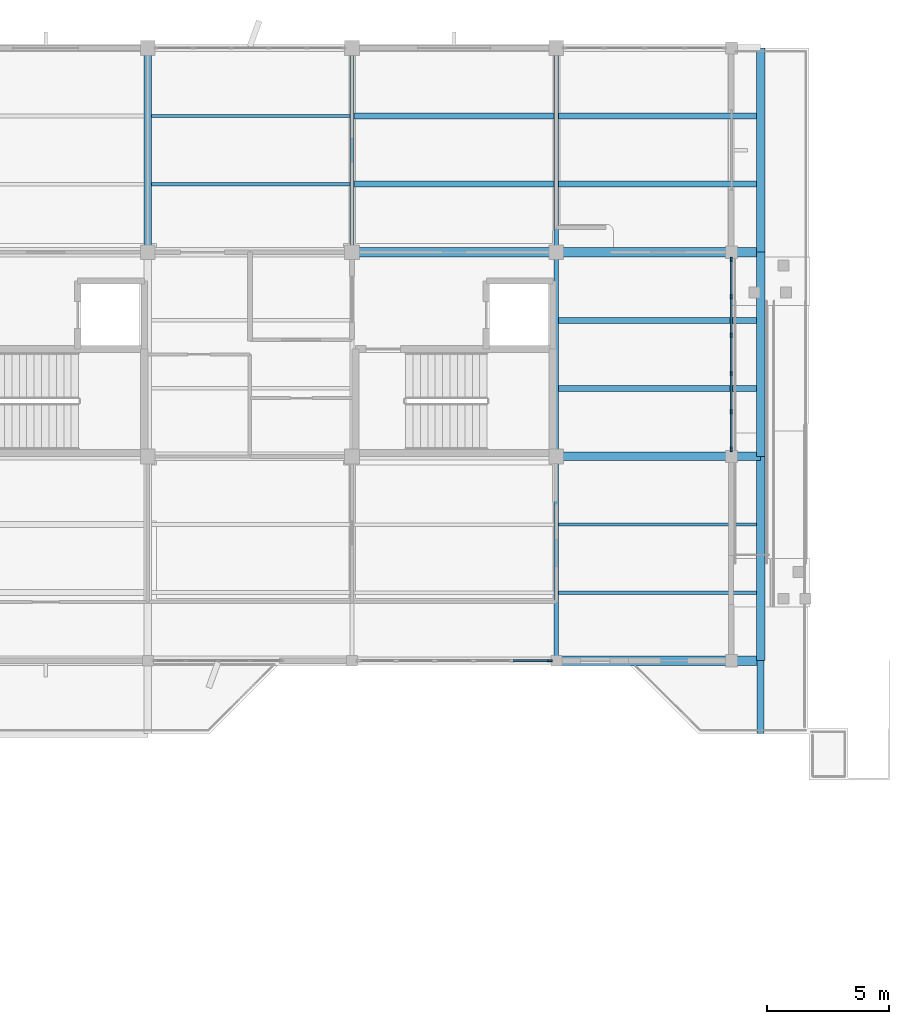
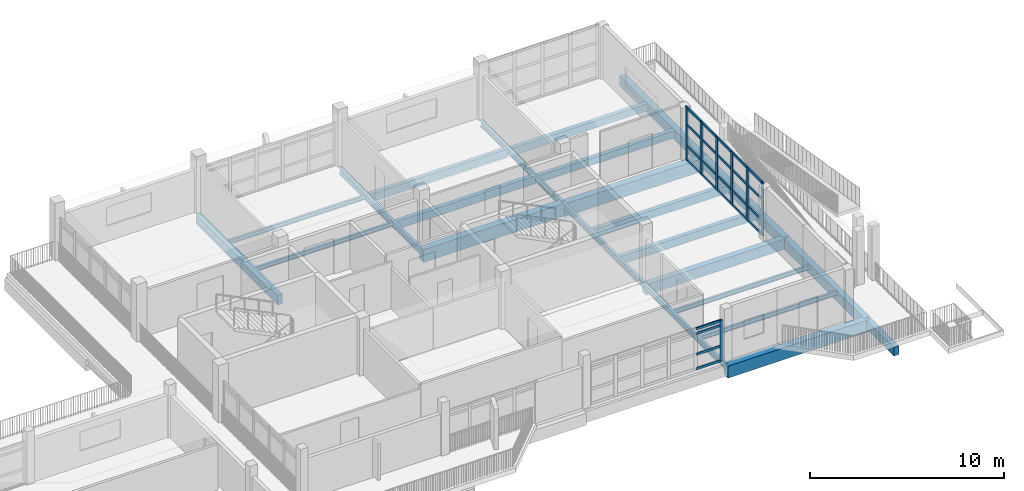
# One storey, part 12 of 33: 31 members, 23 beams, 2 elements without a shape of their own.
"""IFC4 building model written with IfcOpenShell, lengths in metres."""

import ifcopenshell
import ifcopenshell.guid

model = None  # the IFC model being written
_history = None  # IfcOwnerHistory: only IFC2X3 demands one
_inside = {}  # id of a spatial element -> (the spatial element, [elements in it])
_under = {}  # id of a project, library or spatial element -> (it, [spatial elements below it])
_declared = {}  # id of a project -> (the project, [libraries it declares])
_typed = {}  # id of a type object -> (the type object, [elements of that type])
_made_of = {}  # id of a material, layer set ... -> (it, [elements and type objects made of it])


def new_model(schema):
    """Start an empty IFC model of exactly this schema.

    Asked for "IFC4X3", IfcOpenShell would pick the latest addendum, in which some entities
    have other attributes; the version numbers below select the first issue.
    IFC2X3 requires an IfcOwnerHistory on every rooted entity: one is made here for all.
    """
    global model, _history
    if schema == "IFC4X3":
        model = ifcopenshell.file(schema_version=(4, 3, 0, 0))
    else:
        model = ifcopenshell.file(schema=schema)
    _inside.clear()
    _under.clear()
    _declared.clear()
    _typed.clear()
    _made_of.clear()
    _history = None
    if model.schema == "IFC2X3":
        org = make("IfcOrganization", Name="unknown")
        user = make(
            "IfcPersonAndOrganization",
            ThePerson=make("IfcPerson", FamilyName="unknown"),
            TheOrganization=org,
        )
        app = make(
            "IfcApplication",
            ApplicationDeveloper=org,
            Version="unknown",
            ApplicationFullName="unknown",
            ApplicationIdentifier="unknown",
        )
        _history = make(
            "IfcOwnerHistory",
            OwningUser=user,
            OwningApplication=app,
            ChangeAction="ADDED",
            CreationDate=0,
        )
    return model


def make(cls, **values):
    """One entity of the class cls with the attributes given. An attribute that is None is left unset."""
    return model.create_entity(
        cls, **{name: value for name, value in values.items() if value is not None}
    )


def rooted(cls, **values):
    """An entity with a GlobalId (a new one), such as an element, a storey or a relation."""
    return make(cls, GlobalId=ifcopenshell.guid.new(), OwnerHistory=_history, **values)


def si_unit(unit_type, name, prefix=None):
    """IfcSIUnit, for example si_unit("LENGTHUNIT", "METRE", prefix="MILLI")."""
    return make("IfcSIUnit", UnitType=unit_type, Prefix=prefix, Name=name)


def assignment(units):
    """IfcUnitAssignment: the units of a project."""
    return None if units is None else make("IfcUnitAssignment", Units=units)


def point(xyz):
    """IfcCartesianPoint."""
    return None if xyz is None else make("IfcCartesianPoint", Coordinates=xyz)


def direction(xyz):
    """IfcDirection."""
    return None if xyz is None else make("IfcDirection", DirectionRatios=xyz)


def frame(location, z_axis=None, x_axis=None):
    """IfcAxis2Placement3D, a coordinate frame: its origin and axes. An axis left out is left unset."""
    return make(
        "IfcAxis2Placement3D",
        Location=point(location),
        Axis=direction(z_axis),
        RefDirection=direction(x_axis),
    )


def frame_2d(location, x_axis=None):
    """IfcAxis2Placement2D, a coordinate frame in the plane: its origin and x axis."""
    return make(
        "IfcAxis2Placement2D", Location=point(location), RefDirection=direction(x_axis)
    )


def origin():
    """The frame at (0, 0, 0) with its axes left unset."""
    return frame((0.0, 0.0, 0.0))


def origin_2d():
    """The frame at (0, 0) in the plane with its x axis left unset."""
    return frame_2d((0.0, 0.0))


def place(relative_to, where):
    """IfcLocalPlacement: puts the frame where relative to a parent placement (None: the world)."""
    return make(
        "IfcLocalPlacement", PlacementRelTo=relative_to, RelativePlacement=where
    )


def context(
    kind, dimensions, precision=None, world=None, true_north=None, identifier=None
):
    """IfcGeometricRepresentationContext, for example the 3D "Model" context."""
    return make(
        "IfcGeometricRepresentationContext",
        ContextIdentifier=identifier,
        ContextType=kind,
        CoordinateSpaceDimension=dimensions,
        Precision=precision,
        WorldCoordinateSystem=world,
        TrueNorth=true_north,
    )


def subcontext(parent, identifier, kind, view, scale=None):
    """IfcGeometricRepresentationSubContext, for example "Body" below "Model"."""
    return make(
        "IfcGeometricRepresentationSubContext",
        ContextIdentifier=identifier,
        ContextType=kind,
        ParentContext=parent,
        TargetScale=scale,
        TargetView=view,
    )


def project(units=None, contexts=None):
    """IfcProject with its units and contexts."""
    return rooted(
        "IfcProject",
        Name="project",
        RepresentationContexts=contexts,
        UnitsInContext=assignment(units),
    )


def spatial(cls, under=None, at=None, **own):
    """A site, building, storey or space (cls), placed at a placement, below another one or the project."""
    s = rooted(cls, ObjectPlacement=at, **own)
    if under is not None:
        _under.setdefault(under.id(), (under, []))[1].append(s)
    return s


def profile(cls, at=None, kind="AREA", **sizes):
    """A parametric profile (cls). Its sizes go by their IFC names, for example OverallWidth=200.0."""
    return make(cls, ProfileType=kind, Position=at, **sizes)


def rectangle(**sizes):
    """IfcRectangleProfileDef."""
    return profile("IfcRectangleProfileDef", **sizes)


def i_section(**sizes):
    """IfcIShapeProfileDef."""
    return profile("IfcIShapeProfileDef", **sizes)


def extrude(swept, where, along, depth):
    """IfcExtrudedAreaSolid: the profile swept, set in the frame where, extruded along a direction by depth."""
    return make(
        "IfcExtrudedAreaSolid",
        SweptArea=swept,
        Position=where,
        ExtrudedDirection=direction(along),
        Depth=depth,
    )


def shape(context_of_items, identifier, shape_type, items):
    """IfcShapeRepresentation: the items that make up one representation, for example the "Body"."""
    return make(
        "IfcShapeRepresentation",
        ContextOfItems=context_of_items,
        RepresentationIdentifier=identifier,
        RepresentationType=shape_type,
        Items=items,
    )


def material(Name=None, Category=None):
    """IfcMaterial."""
    return make("IfcMaterial", Name=Name, Category=Category)


def material_profile(
    of_material, cross_section, Name=None, Category=None, Priority=None
):
    """IfcMaterialProfile: a cross section and its material."""
    return make(
        "IfcMaterialProfile",
        Name=Name,
        Material=of_material,
        Profile=cross_section,
        Priority=Priority,
        Category=Category,
    )


def profile_set(profiles, Name=None, composite=None):
    """IfcMaterialProfileSet."""
    return make(
        "IfcMaterialProfileSet",
        Name=Name,
        MaterialProfiles=profiles,
        CompositeProfile=composite,
    )


def made_of(thing, what):
    """Note that an element or type object is made of a material, layer set ...; save() writes the relation."""
    if what is not None:
        _made_of.setdefault(what.id(), (what, []))[1].append(thing)
    return thing


def type_object(cls, material=None, **own):
    """A type object (cls), such as IfcWallType, which elements share."""
    return made_of(rooted(cls, **own), material)


def element(
    cls,
    number,
    at=None,
    inside=None,
    cuts=None,
    type_object=None,
    material=None,
    context=None,
    identifier="Body",
    shape_type=None,
    held_by="IfcProductDefinitionShape",
    body=None,
    shapes=None,
    **own,
):
    """One element of the class cls, such as IfcWall. Its Tag is "e" and its number.

    at: its placement. inside: the storey or other place that contains it. cuts: it is an
    opening in that element (IfcRelVoidsElement). A single representation is given by context,
    identifier, shape_type and body (its items); several are given by shapes. held_by: the class
    of the entity that holds the representations. save() writes the other relations.
    """
    e = rooted(cls, Tag="e%d" % number, ObjectPlacement=at, **own)
    if body is not None:
        shapes = [shape(context, identifier, shape_type, body)]
    if shapes is not None:
        e.Representation = make(held_by, Representations=shapes)
    if inside is not None:
        _inside.setdefault(inside.id(), (inside, []))[1].append(e)
    if cuts is not None:
        rooted(
            "IfcRelVoidsElement", RelatingBuildingElement=cuts, RelatedOpeningElement=e
        )
    if type_object is not None:
        _typed.setdefault(type_object.id(), (type_object, []))[1].append(e)
    return made_of(e, material)


def aggregate(whole, parts):
    """IfcRelAggregates: a whole, such as a stair, and the parts it consists of."""
    return rooted("IfcRelAggregates", RelatingObject=whole, RelatedObjects=parts)


def save(model, path):
    """Write the relations noted so far, then the file.

    IfcRelAggregates (storeys below a building ...), IfcRelContainedInSpatialStructure (elements
    in a storey), IfcRelDefinesByType, IfcRelAssociatesMaterial and IfcRelDeclares: one each for
    every whole, place, type object, material and project.
    """
    for whole, parts in _under.values():
        aggregate(whole, parts)
    for where, things in _inside.values():
        rooted(
            "IfcRelContainedInSpatialStructure",
            RelatedElements=things,
            RelatingStructure=where,
        )
    for kind, things in _typed.values():
        rooted("IfcRelDefinesByType", RelatedObjects=things, RelatingType=kind)
    for what, things in _made_of.values():
        rooted("IfcRelAssociatesMaterial", RelatedObjects=things, RelatingMaterial=what)
    for by, libraries in _declared.values():
        rooted("IfcRelDeclares", RelatingContext=by, RelatedDefinitions=libraries)
    model.write(path)


model = new_model("IFC4")

# Units and contexts
model_context = context("Model", 3, precision=1e-05, world=origin(), true_north=direction((0.0, 1.0)))
body_context = subcontext(model_context, "Body", "Model", "MODEL_VIEW")
ifc_project = project(units=[si_unit("LENGTHUNIT", "METRE"), si_unit("AREAUNIT", "SQUARE_METRE"), si_unit("VOLUMEUNIT", "CUBIC_METRE"), si_unit("PLANEANGLEUNIT", "RADIAN"), si_unit("MASSUNIT", "GRAM", prefix="KILO")], contexts=[model_context])

# Site, building, storey
site_placement = place(None, origin())
site = spatial("IfcSite", under=ifc_project, at=site_placement, CompositionType="ELEMENT")
building_placement = place(site_placement, origin())
building = spatial("IfcBuilding", under=site, at=building_placement, Name="Vanh Quang Courtyard School", CompositionType="ELEMENT")
storey_placement = place(building_placement, frame((0.0, 0.0, 18.60009765625)))
storey = spatial("IfcBuildingStorey", under=building, at=storey_placement, Name="L05", CompositionType="ELEMENT", Elevation=18.60009765625)

# Beams
ifc_material_1 = material(Name="Concrete C35/45", Category="concrete")
ifc_material_profile_1 = material_profile(ifc_material_1, rectangle(XDim=0.300048828125, YDim=0.550048828125, at=origin_2d()), Name="RC-BM 300x550")
ifc_profile_set_1 = profile_set([ifc_material_profile_1], Name="Concrete C35/45")
beam_type_1 = type_object("IfcBeamType", Name="BM-RC-300x550", PredefinedType="BEAM", material=ifc_profile_set_1)
beam_1_placement = place(storey_placement, frame((111.0, 68.39990234375, -0.59521484375), z_axis=(0.0, 1.0, 0.0), x_axis=(-1.0, 0.0, 0.0)))
element("IfcBeam", 1, at=beam_1_placement, inside=storey, type_object=beam_type_1, Name="Beam B-07 (L05)", PredefinedType="BEAM", context=body_context, shape_type="SweptSolid", body=[
    extrude(rectangle(XDim=0.300048828125, YDim=0.550048828125, at=origin_2d()), origin(), (0.0, 0.0, 1.0), 3.0),
])
ifc_material_profile_2 = material_profile(ifc_material_1, rectangle(XDim=0.300048828125, YDim=0.60009765625, at=origin_2d()), Name="RC-BM 300x600")
ifc_profile_set_2 = profile_set([ifc_material_profile_2], Name="Concrete C35/45")
beam_type_2 = type_object("IfcBeamType", Name="BM-RC-300x600", PredefinedType="BEAM", material=ifc_profile_set_2)
beam_2_placement = place(storey_placement, frame((85.800048828125, 88.199951171875, -0.550048828125), z_axis=(0.0, 1.0, 0.0), x_axis=(-1.0, 0.0, 0.0)))
element("IfcBeam", 2, at=beam_2_placement, inside=storey, type_object=beam_type_2, Name="Beam B-06 (L05)", PredefinedType="BEAM", context=body_context, shape_type="SweptSolid", body=[
    extrude(rectangle(XDim=0.300048828125, YDim=0.60009765625, at=origin_2d()), origin(), (0.0, 0.0, 1.0), 8.400146484375),
])
ifc_material_profile_3 = material_profile(ifc_material_1, rectangle(XDim=0.35009765625, YDim=0.64990234375, at=origin_2d()), Name="RC-BM 350x650")
ifc_profile_set_3 = profile_set([ifc_material_profile_3], Name="Concrete C35/45")
beam_type_3 = type_object("IfcBeamType", Name="BM-RC-350x650", PredefinedType="BEAM", material=ifc_profile_set_3)
beam_3_placement = place(storey_placement, frame((102.60009765625, 79.800048828125, -0.64501953125), z_axis=(1.0, 0.0, 0.0), x_axis=(0.0, 1.0, 0.0)))
element("IfcBeam", 3, at=beam_3_placement, inside=storey, type_object=beam_type_3, Name="Beam B-05 (L05)", PredefinedType="BEAM", context=body_context, shape_type="SweptSolid", body=[
    extrude(rectangle(XDim=0.35009765625, YDim=0.64990234375, at=origin_2d()), origin(), (0.0, 0.0, 1.0), 8.39990234375),
])
beam_4_placement = place(storey_placement, frame((111.0, 71.39990234375, -0.64501953125), z_axis=(0.0, 1.0, 0.0), x_axis=(-1.0, 0.0, 0.0)))
element("IfcBeam", 4, at=beam_4_placement, inside=storey, type_object=beam_type_3, Name="Beam B-05 (L05)", PredefinedType="BEAM", context=body_context, shape_type="SweptSolid", body=[
    extrude(rectangle(XDim=0.35009765625, YDim=0.64990234375, at=origin_2d()), origin(), (0.0, 0.0, 1.0), 8.400146484375),
])
beam_5_placement = place(storey_placement, frame((111.0, 79.800048828125, -0.64501953125), z_axis=(0.0, 1.0, 0.0), x_axis=(-1.0, 0.0, 0.0)))
element("IfcBeam", 5, at=beam_5_placement, inside=storey, type_object=beam_type_3, Name="Beam B-05 (L05)", PredefinedType="BEAM", context=body_context, shape_type="SweptSolid", body=[
    extrude(rectangle(XDim=0.35009765625, YDim=0.64990234375, at=origin_2d()), origin(), (0.0, 0.0, 1.0), 8.39990234375),
])
beam_6_placement = place(storey_placement, frame((111.0, 88.199951171875, -0.64501953125), z_axis=(0.0, 1.0, 0.0), x_axis=(-1.0, 0.0, 0.0)))
element("IfcBeam", 6, at=beam_6_placement, inside=storey, type_object=beam_type_3, Name="Beam B-05 (L05)", PredefinedType="BEAM", context=body_context, shape_type="SweptSolid", body=[
    extrude(rectangle(XDim=0.35009765625, YDim=0.64990234375, at=origin_2d()), origin(), (0.0, 0.0, 1.0), 8.400146484375),
])
ifc_material_profile_4 = material_profile(ifc_material_1, rectangle(XDim=0.39990234375, YDim=0.75, at=origin_2d()), Name="RC-BM 400x750")
ifc_profile_set_4 = profile_set([ifc_material_profile_4], Name="Concrete C35/45")
beam_type_4 = type_object("IfcBeamType", Name="BM-RC-400x750", PredefinedType="BEAM", material=ifc_profile_set_4)
beam_7_placement = place(storey_placement, frame((102.60009765625, 71.39990234375, -0.695068359375), z_axis=(1.0, 0.0, 0.0), x_axis=(0.0, 1.0, 0.0)))
element("IfcBeam", 7, at=beam_7_placement, inside=storey, type_object=beam_type_4, Name="Beam B-03 (L05)", PredefinedType="BEAM", context=body_context, shape_type="SweptSolid", body=[
    extrude(rectangle(XDim=0.39990234375, YDim=0.75, at=origin_2d()), origin(), (0.0, 0.0, 1.0), 8.39990234375),
])
ifc_material_profile_5 = material_profile(ifc_material_1, rectangle(XDim=0.39990234375, YDim=0.800048828125, at=origin_2d()), Name="RC-BM 400x800")
ifc_profile_set_5 = profile_set([ifc_material_profile_5], Name="Concrete C35/45")
beam_type_5 = type_object("IfcBeamType", Name="BM-RC-400x800", PredefinedType="BEAM", material=ifc_profile_set_5)
beam_8_placement = place(storey_placement, frame((94.199951171875, 88.199951171875, -0.650146484375), z_axis=(1.0, 0.0, 0.0), x_axis=(0.0, 1.0, 0.0)))
element("IfcBeam", 8, at=beam_8_placement, inside=storey, type_object=beam_type_5, Name="Beam B-02 (L05)", PredefinedType="BEAM", context=body_context, shape_type="SweptSolid", body=[
    extrude(rectangle(XDim=0.39990234375, YDim=0.800048828125, at=origin_2d()), origin(), (0.0, 0.0, 1.0), 8.400146484375),
])
beam_9_placement = place(storey_placement, frame((102.60009765625, 88.199951171875, -0.72021484375), z_axis=(1.0, 0.0, 0.0), x_axis=(0.0, 1.0, 0.0)))
element("IfcBeam", 9, at=beam_9_placement, inside=storey, type_object=beam_type_5, Name="Beam B-02 (L05)", PredefinedType="BEAM", context=body_context, shape_type="SweptSolid", body=[
    extrude(rectangle(XDim=0.39990234375, YDim=0.800048828125, at=origin_2d()), origin(), (0.0, 0.0, 1.0), 8.39990234375),
])
ifc_material_2 = material(Name="Structural steel EN 10025-2 S355J2", Category="steel")
ifc_material_profile_6 = material_profile(ifc_material_2, i_section(OverallWidth=0.169921875, OverallDepth=0.360107421875, WebThickness=0.008056640625, FlangeThickness=0.0126953125, FilletRadius=0.01806640625, at=origin_2d()), Name="IPE 360")
ifc_profile_set_6 = profile_set([ifc_material_profile_6], Name="Structural steel EN 10025-2 S355J2")
beam_type_6 = type_object("IfcBeamType", Name="BM-STL-IPE360", PredefinedType="BEAM", material=ifc_profile_set_6)
beam_10_placement = place(storey_placement, frame((102.60009765625, 71.39990234375, -0.43017578125), z_axis=(0.0, 1.0, 0.0), x_axis=(-1.0, 0.0, 0.0)))
element("IfcBeam", 10, at=beam_10_placement, inside=storey, type_object=beam_type_6, Name="Beam SB-06 (L05)", PredefinedType="BEAM", context=body_context, shape_type="SweptSolid", body=[
    extrude(i_section(OverallWidth=0.169921875, OverallDepth=0.360107421875, WebThickness=0.008056640625, FlangeThickness=0.0126953125, FilletRadius=0.01806640625, at=origin_2d()), origin(), (0.0, 0.0, 1.0), 8.400146484375),
])
beam_11_placement = place(storey_placement, frame((102.60009765625, 79.800048828125, -0.43017578125), z_axis=(0.0, 1.0, 0.0), x_axis=(-1.0, 0.0, 0.0)))
element("IfcBeam", 11, at=beam_11_placement, inside=storey, type_object=beam_type_6, Name="Beam SB-06 (L05)", PredefinedType="BEAM", context=body_context, shape_type="SweptSolid", body=[
    extrude(i_section(OverallWidth=0.169921875, OverallDepth=0.360107421875, WebThickness=0.008056640625, FlangeThickness=0.0126953125, FilletRadius=0.01806640625, at=origin_2d()), origin(), (0.0, 0.0, 1.0), 8.39990234375),
])
beam_12_placement = place(storey_placement, frame((102.60009765625, 88.199951171875, -0.43017578125), z_axis=(0.0, 1.0, 0.0), x_axis=(-1.0, 0.0, 0.0)))
element("IfcBeam", 12, at=beam_12_placement, inside=storey, type_object=beam_type_6, Name="Beam SB-06 (L05)", PredefinedType="BEAM", context=body_context, shape_type="SweptSolid", body=[
    extrude(i_section(OverallWidth=0.169921875, OverallDepth=0.360107421875, WebThickness=0.008056640625, FlangeThickness=0.0126953125, FilletRadius=0.01806640625, at=origin_2d()), origin(), (0.0, 0.0, 1.0), 8.400146484375),
])
ifc_material_profile_7 = material_profile(ifc_material_2, i_section(OverallWidth=0.179931640625, OverallDepth=0.39990234375, WebThickness=0.008544921875, FlangeThickness=0.013427734375, FilletRadius=0.02099609375, at=origin_2d()), Name="IPE 400")
ifc_profile_set_7 = profile_set([ifc_material_profile_7], Name="Structural steel EN 10025-2 S355J2")
beam_type_7 = type_object("IfcBeamType", Name="BM-STL-IPE400", PredefinedType="BEAM", material=ifc_profile_set_7)
beam_13_placement = place(storey_placement, frame((94.199951171875, 88.199951171875, -0.4501953125), z_axis=(0.0, 1.0, 0.0), x_axis=(-1.0, 0.0, 0.0)))
element("IfcBeam", 13, at=beam_13_placement, inside=storey, type_object=beam_type_7, Name="Beam SB-05 (L05)", PredefinedType="BEAM", context=body_context, shape_type="SweptSolid", body=[
    extrude(i_section(OverallWidth=0.179931640625, OverallDepth=0.39990234375, WebThickness=0.008544921875, FlangeThickness=0.013427734375, FilletRadius=0.02099609375, at=origin_2d()), origin(), (0.0, 0.0, 1.0), 8.400146484375),
])

# Curtain wall, member
ifc_material_3 = material(Name="Thermally broken aluminium unitised curtain wall", Category="aluminium")
curtain_wall_type_1 = type_object("IfcCurtainWallType", Name="CW-SYS-19", PredefinedType="NOTDEFINED", material=ifc_material_3)
curtain_wall_1_placement = place(storey_placement, origin())
curtain_wall_1 = element("IfcCurtainWall", 14, at=curtain_wall_1_placement, inside=storey, type_object=curtain_wall_type_1, Name="Curtain Wall CW-19 (L05)", PredefinedType="NOTDEFINED")
ifc_material_4 = material(Name="Anodised aluminium 6063-T6", Category="aluminium")
ifc_material_profile_8 = material_profile(ifc_material_4, rectangle(XDim=0.080078125, YDim=0.199951171875, at=origin_2d()), Name="ALU-MUL 80x200")
ifc_profile_set_8 = profile_set([ifc_material_profile_8], Name="Anodised aluminium 6063-T6")
member_type_1 = type_object("IfcMemberType", Name="CW-MUL-80x200", PredefinedType="MULLION", material=ifc_profile_set_8)
member_1_placement = place(storey_placement, frame((102.326904296875, 71.39990234375, 0.0), z_axis=(0.0, 0.0, 1.0), x_axis=(0.0, -1.0, 0.0)))
member_1 = element("IfcMember", 15, at=member_1_placement, type_object=member_type_1, Name="CW-19 mullion 1", PredefinedType="MULLION", context=body_context, shape_type="SweptSolid", body=[
    extrude(rectangle(XDim=0.080078125, YDim=0.199951171875, at=origin_2d()), origin(), (0.0, 0.0, 1.0), 2.579833984375),
])

# Curtain wall, members
curtain_wall_type_2 = type_object("IfcCurtainWallType", Name="CW-SYS-64", PredefinedType="NOTDEFINED", material=ifc_material_3)
curtain_wall_2_placement = place(storey_placement, origin())
curtain_wall_2 = element("IfcCurtainWall", 16, at=curtain_wall_2_placement, inside=storey, type_object=curtain_wall_type_2, Name="Curtain Wall CW-64 (L05)", PredefinedType="NOTDEFINED")
member_2_placement = place(storey_placement, frame((109.800048828125, 87.902099609375, 0.0), z_axis=(0.0, 0.0, 1.0), x_axis=(1.0, 0.0, 0.0)))
member_2 = element("IfcMember", 17, at=member_2_placement, type_object=member_type_1, Name="CW-64 mullion 1", PredefinedType="MULLION", context=body_context, shape_type="SweptSolid", body=[
    extrude(rectangle(XDim=0.080078125, YDim=0.199951171875, at=origin_2d()), origin(), (0.0, 0.0, 1.0), 3.349853515625),
])
member_3_placement = place(storey_placement, frame((109.800048828125, 86.365234375, 0.0), z_axis=(0.0, 0.0, 1.0), x_axis=(1.0, 0.0, 0.0)))
member_3 = element("IfcMember", 18, at=member_3_placement, type_object=member_type_1, Name="CW-64 mullion 2", PredefinedType="MULLION", context=body_context, shape_type="SweptSolid", body=[
    extrude(rectangle(XDim=0.080078125, YDim=0.199951171875, at=origin_2d()), origin(), (0.0, 0.0, 1.0), 3.349853515625),
])
member_4_placement = place(storey_placement, frame((109.800048828125, 84.788330078125, 0.0), z_axis=(0.0, 0.0, 1.0), x_axis=(1.0, 0.0, 0.0)))
member_4 = element("IfcMember", 19, at=member_4_placement, type_object=member_type_1, Name="CW-64 mullion 3", PredefinedType="MULLION", context=body_context, shape_type="SweptSolid", body=[
    extrude(rectangle(XDim=0.080078125, YDim=0.199951171875, at=origin_2d()), origin(), (0.0, 0.0, 1.0), 3.349853515625),
])
member_5_placement = place(storey_placement, frame((109.800048828125, 83.211669921875, 0.0), z_axis=(0.0, 0.0, 1.0), x_axis=(1.0, 0.0, 0.0)))
member_5 = element("IfcMember", 20, at=member_5_placement, type_object=member_type_1, Name="CW-64 mullion 4", PredefinedType="MULLION", context=body_context, shape_type="SweptSolid", body=[
    extrude(rectangle(XDim=0.080078125, YDim=0.199951171875, at=origin_2d()), origin(), (0.0, 0.0, 1.0), 3.349853515625),
])
member_6_placement = place(storey_placement, frame((109.800048828125, 81.634765625, 0.0), z_axis=(0.0, 0.0, 1.0), x_axis=(1.0, 0.0, 0.0)))
member_6 = element("IfcMember", 21, at=member_6_placement, type_object=member_type_1, Name="CW-64 mullion 5", PredefinedType="MULLION", context=body_context, shape_type="SweptSolid", body=[
    extrude(rectangle(XDim=0.080078125, YDim=0.199951171875, at=origin_2d()), origin(), (0.0, 0.0, 1.0), 3.349853515625),
])
member_7_placement = place(storey_placement, frame((109.800048828125, 80.097900390625, 0.0), z_axis=(0.0, 0.0, 1.0), x_axis=(1.0, 0.0, 0.0)))
member_7 = element("IfcMember", 22, at=member_7_placement, type_object=member_type_1, Name="CW-64 mullion 6", PredefinedType="MULLION", context=body_context, shape_type="SweptSolid", body=[
    extrude(rectangle(XDim=0.080078125, YDim=0.199951171875, at=origin_2d()), origin(), (0.0, 0.0, 1.0), 3.349853515625),
])

# Member
ifc_material_profile_9 = material_profile(ifc_material_4, rectangle(XDim=0.080078125, YDim=0.14990234375, at=origin_2d()), Name="ALU-TRN 80x150")
ifc_profile_set_9 = profile_set([ifc_material_profile_9], Name="Anodised aluminium 6063-T6")
member_type_2 = type_object("IfcMemberType", Name="CW-TRN-80x150", PredefinedType="USERDEFINED", material=ifc_profile_set_9)
member_8_placement = place(storey_placement, frame((102.287109375, 71.39990234375, 0.039794921875), z_axis=(-1.0, 0.0, 0.0), x_axis=(0.0, -1.0, 0.0)))
member_8 = element("IfcMember", 23, at=member_8_placement, type_object=member_type_2, Name="CW-19 transom 1.1", ObjectType="TRANSOM", PredefinedType="USERDEFINED", context=body_context, shape_type="SweptSolid", body=[
    extrude(rectangle(XDim=0.080078125, YDim=0.14990234375, at=origin_2d()), origin(), (0.0, 0.0, 1.0), 1.466796875),
])

member_9_placement = place(storey_placement, frame((102.287109375, 71.39990234375, 0.949951171875), z_axis=(-1.0, 0.0, 0.0), x_axis=(0.0, -1.0, 0.0)))
member_9 = element("IfcMember", 24, at=member_9_placement, type_object=member_type_2, Name="CW-19 transom 1.2", ObjectType="TRANSOM", PredefinedType="USERDEFINED", context=body_context, shape_type="SweptSolid", body=[
    extrude(rectangle(XDim=0.080078125, YDim=0.14990234375, at=origin_2d()), origin(), (0.0, 0.0, 1.0), 1.466796875),
])

member_10_placement = place(storey_placement, frame((102.287109375, 71.39990234375, 2.25), z_axis=(-1.0, 0.0, 0.0), x_axis=(0.0, -1.0, 0.0)))
member_10 = element("IfcMember", 25, at=member_10_placement, type_object=member_type_2, Name="CW-19 transom 1.3", ObjectType="TRANSOM", PredefinedType="USERDEFINED", context=body_context, shape_type="SweptSolid", body=[
    extrude(rectangle(XDim=0.080078125, YDim=0.14990234375, at=origin_2d()), origin(), (0.0, 0.0, 1.0), 1.466796875),
])

member_11_placement = place(storey_placement, frame((102.287109375, 71.39990234375, 2.539794921875), z_axis=(-1.0, 0.0, 0.0), x_axis=(0.0, -1.0, 0.0)))
member_11 = element("IfcMember", 26, at=member_11_placement, type_object=member_type_2, Name="CW-19 transom 1.4", ObjectType="TRANSOM", PredefinedType="USERDEFINED", context=body_context, shape_type="SweptSolid", body=[
    extrude(rectangle(XDim=0.080078125, YDim=0.14990234375, at=origin_2d()), origin(), (0.0, 0.0, 1.0), 1.466796875),
])

aggregate(curtain_wall_1, [member_1, member_8, member_9, member_10, member_11])

member_12_placement = place(storey_placement, frame((109.800048828125, 87.862060546875, 0.039794921875), z_axis=(0.0, -1.0, 0.0), x_axis=(1.0, 0.0, 0.0)))
member_12 = element("IfcMember", 27, at=member_12_placement, type_object=member_type_2, Name="CW-64 transom 1.1", ObjectType="TRANSOM", PredefinedType="USERDEFINED", context=body_context, shape_type="SweptSolid", body=[
    extrude(rectangle(XDim=0.080078125, YDim=0.14990234375, at=origin_2d()), origin(), (0.0, 0.0, 1.0), 1.456787109375),
])

member_13_placement = place(storey_placement, frame((109.800048828125, 87.862060546875, 0.949951171875), z_axis=(0.0, -1.0, 0.0), x_axis=(1.0, 0.0, 0.0)))
member_13 = element("IfcMember", 28, at=member_13_placement, type_object=member_type_2, Name="CW-64 transom 1.2", ObjectType="TRANSOM", PredefinedType="USERDEFINED", context=body_context, shape_type="SweptSolid", body=[
    extrude(rectangle(XDim=0.080078125, YDim=0.14990234375, at=origin_2d()), origin(), (0.0, 0.0, 1.0), 1.456787109375),
])

member_14_placement = place(storey_placement, frame((109.800048828125, 87.862060546875, 2.25), z_axis=(0.0, -1.0, 0.0), x_axis=(1.0, 0.0, 0.0)))
member_14 = element("IfcMember", 29, at=member_14_placement, type_object=member_type_2, Name="CW-64 transom 1.3", ObjectType="TRANSOM", PredefinedType="USERDEFINED", context=body_context, shape_type="SweptSolid", body=[
    extrude(rectangle(XDim=0.080078125, YDim=0.14990234375, at=origin_2d()), origin(), (0.0, 0.0, 1.0), 1.456787109375),
])

member_15_placement = place(storey_placement, frame((109.800048828125, 87.862060546875, 3.309814453125), z_axis=(0.0, -1.0, 0.0), x_axis=(1.0, 0.0, 0.0)))
member_15 = element("IfcMember", 30, at=member_15_placement, type_object=member_type_2, Name="CW-64 transom 1.4", ObjectType="TRANSOM", PredefinedType="USERDEFINED", context=body_context, shape_type="SweptSolid", body=[
    extrude(rectangle(XDim=0.080078125, YDim=0.14990234375, at=origin_2d()), origin(), (0.0, 0.0, 1.0), 1.456787109375),
])

member_16_placement = place(storey_placement, frame((109.800048828125, 86.3251953125, 0.039794921875), z_axis=(0.0, -1.0, 0.0), x_axis=(1.0, 0.0, 0.0)))
member_16 = element("IfcMember", 31, at=member_16_placement, type_object=member_type_2, Name="CW-64 transom 2.1", ObjectType="TRANSOM", PredefinedType="USERDEFINED", context=body_context, shape_type="SweptSolid", body=[
    extrude(rectangle(XDim=0.080078125, YDim=0.14990234375, at=origin_2d()), origin(), (0.0, 0.0, 1.0), 1.496826171875),
])

member_17_placement = place(storey_placement, frame((109.800048828125, 86.3251953125, 0.949951171875), z_axis=(0.0, -1.0, 0.0), x_axis=(1.0, 0.0, 0.0)))
member_17 = element("IfcMember", 32, at=member_17_placement, type_object=member_type_2, Name="CW-64 transom 2.2", ObjectType="TRANSOM", PredefinedType="USERDEFINED", context=body_context, shape_type="SweptSolid", body=[
    extrude(rectangle(XDim=0.080078125, YDim=0.14990234375, at=origin_2d()), origin(), (0.0, 0.0, 1.0), 1.496826171875),
])

member_18_placement = place(storey_placement, frame((109.800048828125, 86.3251953125, 2.25), z_axis=(0.0, -1.0, 0.0), x_axis=(1.0, 0.0, 0.0)))
member_18 = element("IfcMember", 33, at=member_18_placement, type_object=member_type_2, Name="CW-64 transom 2.3", ObjectType="TRANSOM", PredefinedType="USERDEFINED", context=body_context, shape_type="SweptSolid", body=[
    extrude(rectangle(XDim=0.080078125, YDim=0.14990234375, at=origin_2d()), origin(), (0.0, 0.0, 1.0), 1.496826171875),
])

member_19_placement = place(storey_placement, frame((109.800048828125, 86.3251953125, 3.309814453125), z_axis=(0.0, -1.0, 0.0), x_axis=(1.0, 0.0, 0.0)))
member_19 = element("IfcMember", 34, at=member_19_placement, type_object=member_type_2, Name="CW-64 transom 2.4", ObjectType="TRANSOM", PredefinedType="USERDEFINED", context=body_context, shape_type="SweptSolid", body=[
    extrude(rectangle(XDim=0.080078125, YDim=0.14990234375, at=origin_2d()), origin(), (0.0, 0.0, 1.0), 1.496826171875),
])

member_20_placement = place(storey_placement, frame((109.800048828125, 84.748291015625, 0.039794921875), z_axis=(0.0, -1.0, 0.0), x_axis=(1.0, 0.0, 0.0)))
member_20 = element("IfcMember", 35, at=member_20_placement, type_object=member_type_2, Name="CW-64 transom 3.1", ObjectType="TRANSOM", PredefinedType="USERDEFINED", context=body_context, shape_type="SweptSolid", body=[
    extrude(rectangle(XDim=0.080078125, YDim=0.14990234375, at=origin_2d()), origin(), (0.0, 0.0, 1.0), 1.49658203125),
])

member_21_placement = place(storey_placement, frame((109.800048828125, 84.748291015625, 0.949951171875), z_axis=(0.0, -1.0, 0.0), x_axis=(1.0, 0.0, 0.0)))
member_21 = element("IfcMember", 36, at=member_21_placement, type_object=member_type_2, Name="CW-64 transom 3.2", ObjectType="TRANSOM", PredefinedType="USERDEFINED", context=body_context, shape_type="SweptSolid", body=[
    extrude(rectangle(XDim=0.080078125, YDim=0.14990234375, at=origin_2d()), origin(), (0.0, 0.0, 1.0), 1.49658203125),
])

member_22_placement = place(storey_placement, frame((109.800048828125, 84.748291015625, 2.25), z_axis=(0.0, -1.0, 0.0), x_axis=(1.0, 0.0, 0.0)))
member_22 = element("IfcMember", 37, at=member_22_placement, type_object=member_type_2, Name="CW-64 transom 3.3", ObjectType="TRANSOM", PredefinedType="USERDEFINED", context=body_context, shape_type="SweptSolid", body=[
    extrude(rectangle(XDim=0.080078125, YDim=0.14990234375, at=origin_2d()), origin(), (0.0, 0.0, 1.0), 1.49658203125),
])

member_23_placement = place(storey_placement, frame((109.800048828125, 84.748291015625, 3.309814453125), z_axis=(0.0, -1.0, 0.0), x_axis=(1.0, 0.0, 0.0)))
member_23 = element("IfcMember", 38, at=member_23_placement, type_object=member_type_2, Name="CW-64 transom 3.4", ObjectType="TRANSOM", PredefinedType="USERDEFINED", context=body_context, shape_type="SweptSolid", body=[
    extrude(rectangle(XDim=0.080078125, YDim=0.14990234375, at=origin_2d()), origin(), (0.0, 0.0, 1.0), 1.49658203125),
])

member_24_placement = place(storey_placement, frame((109.800048828125, 83.171630859375, 0.039794921875), z_axis=(0.0, -1.0, 0.0), x_axis=(1.0, 0.0, 0.0)))
member_24 = element("IfcMember", 39, at=member_24_placement, type_object=member_type_2, Name="CW-64 transom 4.1", ObjectType="TRANSOM", PredefinedType="USERDEFINED", context=body_context, shape_type="SweptSolid", body=[
    extrude(rectangle(XDim=0.080078125, YDim=0.14990234375, at=origin_2d()), origin(), (0.0, 0.0, 1.0), 1.496826171875),
])

member_25_placement = place(storey_placement, frame((109.800048828125, 83.171630859375, 0.949951171875), z_axis=(0.0, -1.0, 0.0), x_axis=(1.0, 0.0, 0.0)))
member_25 = element("IfcMember", 40, at=member_25_placement, type_object=member_type_2, Name="CW-64 transom 4.2", ObjectType="TRANSOM", PredefinedType="USERDEFINED", context=body_context, shape_type="SweptSolid", body=[
    extrude(rectangle(XDim=0.080078125, YDim=0.14990234375, at=origin_2d()), origin(), (0.0, 0.0, 1.0), 1.496826171875),
])

member_26_placement = place(storey_placement, frame((109.800048828125, 83.171630859375, 2.25), z_axis=(0.0, -1.0, 0.0), x_axis=(1.0, 0.0, 0.0)))
member_26 = element("IfcMember", 41, at=member_26_placement, type_object=member_type_2, Name="CW-64 transom 4.3", ObjectType="TRANSOM", PredefinedType="USERDEFINED", context=body_context, shape_type="SweptSolid", body=[
    extrude(rectangle(XDim=0.080078125, YDim=0.14990234375, at=origin_2d()), origin(), (0.0, 0.0, 1.0), 1.496826171875),
])

member_27_placement = place(storey_placement, frame((109.800048828125, 83.171630859375, 3.309814453125), z_axis=(0.0, -1.0, 0.0), x_axis=(1.0, 0.0, 0.0)))
member_27 = element("IfcMember", 42, at=member_27_placement, type_object=member_type_2, Name="CW-64 transom 4.4", ObjectType="TRANSOM", PredefinedType="USERDEFINED", context=body_context, shape_type="SweptSolid", body=[
    extrude(rectangle(XDim=0.080078125, YDim=0.14990234375, at=origin_2d()), origin(), (0.0, 0.0, 1.0), 1.496826171875),
])

member_28_placement = place(storey_placement, frame((109.800048828125, 81.5947265625, 0.039794921875), z_axis=(0.0, -1.0, 0.0), x_axis=(1.0, 0.0, 0.0)))
member_28 = element("IfcMember", 43, at=member_28_placement, type_object=member_type_2, Name="CW-64 transom 5.1", ObjectType="TRANSOM", PredefinedType="USERDEFINED", context=body_context, shape_type="SweptSolid", body=[
    extrude(rectangle(XDim=0.080078125, YDim=0.14990234375, at=origin_2d()), origin(), (0.0, 0.0, 1.0), 1.456787109375),
])

member_29_placement = place(storey_placement, frame((109.800048828125, 81.5947265625, 0.949951171875), z_axis=(0.0, -1.0, 0.0), x_axis=(1.0, 0.0, 0.0)))
member_29 = element("IfcMember", 44, at=member_29_placement, type_object=member_type_2, Name="CW-64 transom 5.2", ObjectType="TRANSOM", PredefinedType="USERDEFINED", context=body_context, shape_type="SweptSolid", body=[
    extrude(rectangle(XDim=0.080078125, YDim=0.14990234375, at=origin_2d()), origin(), (0.0, 0.0, 1.0), 1.456787109375),
])

member_30_placement = place(storey_placement, frame((109.800048828125, 81.5947265625, 2.25), z_axis=(0.0, -1.0, 0.0), x_axis=(1.0, 0.0, 0.0)))
member_30 = element("IfcMember", 45, at=member_30_placement, type_object=member_type_2, Name="CW-64 transom 5.3", ObjectType="TRANSOM", PredefinedType="USERDEFINED", context=body_context, shape_type="SweptSolid", body=[
    extrude(rectangle(XDim=0.080078125, YDim=0.14990234375, at=origin_2d()), origin(), (0.0, 0.0, 1.0), 1.456787109375),
])

member_31_placement = place(storey_placement, frame((109.800048828125, 81.5947265625, 3.309814453125), z_axis=(0.0, -1.0, 0.0), x_axis=(1.0, 0.0, 0.0)))
member_31 = element("IfcMember", 46, at=member_31_placement, type_object=member_type_2, Name="CW-64 transom 5.4", ObjectType="TRANSOM", PredefinedType="USERDEFINED", context=body_context, shape_type="SweptSolid", body=[
    extrude(rectangle(XDim=0.080078125, YDim=0.14990234375, at=origin_2d()), origin(), (0.0, 0.0, 1.0), 1.456787109375),
])

aggregate(curtain_wall_2, [member_2, member_3, member_4, member_5, member_6, member_7, member_12, member_13, member_14, member_15, member_16, member_17, member_18, member_19, member_20, member_21, member_22, member_23, member_24, member_25, member_26, member_27, member_28, member_29, member_30, member_31])

# Beams
ifc_material_5 = material(Name="Concrete C30/37", Category="concrete")
ifc_material_profile_10 = material_profile(ifc_material_5, rectangle(XDim=0.25, YDim=0.449951171875, at=origin_2d()), Name="RC-JST 250x450")
ifc_profile_set_10 = profile_set([ifc_material_profile_10], Name="Concrete C30/37")
beam_type_8 = type_object("IfcBeamType", Name="JST-RC-250x450", PredefinedType="JOIST", material=ifc_profile_set_10)
for number, where, z_axis, x_axis, name in (
    (47, (102.68505859375, 91.0, -0.545166015625), (1.0, 0.0, 0.0), (0.0, 1.0, 0.0), "Beam BJ-02 (L05)"),
    (48, (102.68505859375, 93.800048828125, -0.545166015625), (1.0, 0.0, 0.0), (0.0, 1.0, 0.0), "Beam BJ-02 (L05)"),
):
    element("IfcBeam", number, at=place(storey_placement, frame(where, z_axis=z_axis, x_axis=x_axis)), inside=storey, type_object=beam_type_8, Name=name, PredefinedType="JOIST", context=body_context, shape_type="SweptSolid", body=[
        extrude(rectangle(XDim=0.25, YDim=0.449951171875, at=origin_2d()), origin(), (0.0, 0.0, 1.0), 8.139892578125),
    ])
ifc_material_profile_11 = material_profile(ifc_material_5, rectangle(XDim=0.25, YDim=0.5, at=origin_2d()), Name="RC-JST 250x500")
ifc_profile_set_11 = profile_set([ifc_material_profile_11], Name="Concrete C30/37")
beam_type_9 = type_object("IfcBeamType", Name="JST-RC-250x500", PredefinedType="JOIST", material=ifc_profile_set_11)
for number, where, z_axis, x_axis, name in (
    (49, (94.2900390625, 91.0, -0.5), (1.0, 0.0, 0.0), (0.0, 1.0, 0.0), "Beam BJ-01 (L05)"),
    (50, (94.2900390625, 93.800048828125, -0.5), (1.0, 0.0, 0.0), (0.0, 1.0, 0.0), "Beam BJ-01 (L05)"),
):
    element("IfcBeam", number, at=place(storey_placement, frame(where, z_axis=z_axis, x_axis=x_axis)), inside=storey, type_object=beam_type_9, Name=name, PredefinedType="JOIST", context=body_context, shape_type="SweptSolid", body=[
        extrude(rectangle(XDim=0.25, YDim=0.5, at=origin_2d()), origin(), (0.0, 0.0, 1.0), 8.224853515625),
    ])
for number, where, z_axis, x_axis, name in (
    (51, (102.68505859375, 82.60009765625, -0.570068359375), (1.0, 0.0, 0.0), (0.0, 1.0, 0.0), "Beam BJ-01 (L05)"),
    (52, (102.68505859375, 85.39990234375, -0.570068359375), (1.0, 0.0, 0.0), (0.0, 1.0, 0.0), "Beam BJ-01 (L05)"),
):
    element("IfcBeam", number, at=place(storey_placement, frame(where, z_axis=z_axis, x_axis=x_axis)), inside=storey, type_object=beam_type_9, Name=name, PredefinedType="JOIST", context=body_context, shape_type="SweptSolid", body=[
        extrude(rectangle(XDim=0.25, YDim=0.5, at=origin_2d()), origin(), (0.0, 0.0, 1.0), 8.139892578125),
    ])
ifc_material_profile_12 = material_profile(ifc_material_2, i_section(OverallWidth=0.135009765625, OverallDepth=0.27001953125, WebThickness=0.006591796875, FlangeThickness=0.01025390625, FilletRadius=0.014892578125, at=origin_2d()), Name="IPE 270")
ifc_profile_set_12 = profile_set([ifc_material_profile_12], Name="Structural steel EN 10025-2 S355J2")
beam_type_10 = type_object("IfcBeamType", Name="JST-STL-IPE270", PredefinedType="JOIST", material=ifc_profile_set_12)
for number, where, z_axis, x_axis, name in (
    (53, (85.949951171875, 91.0, -0.385009765625), (1.0, 0.0, 0.0), (0.0, 1.0, 0.0), "Beam SJ-03 (L05)"),
    (54, (85.949951171875, 93.800048828125, -0.385009765625), (1.0, 0.0, 0.0), (0.0, 1.0, 0.0), "Beam SJ-03 (L05)"),
):
    element("IfcBeam", number, at=place(storey_placement, frame(where, z_axis=z_axis, x_axis=x_axis)), inside=storey, type_object=beam_type_10, Name=name, PredefinedType="JOIST", context=body_context, shape_type="SweptSolid", body=[
        extrude(i_section(OverallWidth=0.135009765625, OverallDepth=0.27001953125, WebThickness=0.006591796875, FlangeThickness=0.01025390625, FilletRadius=0.014892578125, at=origin_2d()), origin(), (0.0, 0.0, 1.0), 8.16015625),
    ])
for number, where, z_axis, x_axis, name in (
    (55, (102.68505859375, 74.199951171875, -0.385009765625), (1.0, 0.0, 0.0), (0.0, 1.0, 0.0), "Beam SJ-03 (L05)"),
    (56, (102.68505859375, 77.0, -0.455078125), (1.0, 0.0, 0.0), (0.0, 1.0, 0.0), "Beam SJ-03 (L05)"),
):
    element("IfcBeam", number, at=place(storey_placement, frame(where, z_axis=z_axis, x_axis=x_axis)), inside=storey, type_object=beam_type_10, Name=name, PredefinedType="JOIST", context=body_context, shape_type="SweptSolid", body=[
        extrude(i_section(OverallWidth=0.135009765625, OverallDepth=0.27001953125, WebThickness=0.006591796875, FlangeThickness=0.01025390625, FilletRadius=0.014892578125, at=origin_2d()), origin(), (0.0, 0.0, 1.0), 8.139892578125),
    ])

save(model, "model.ifc")
